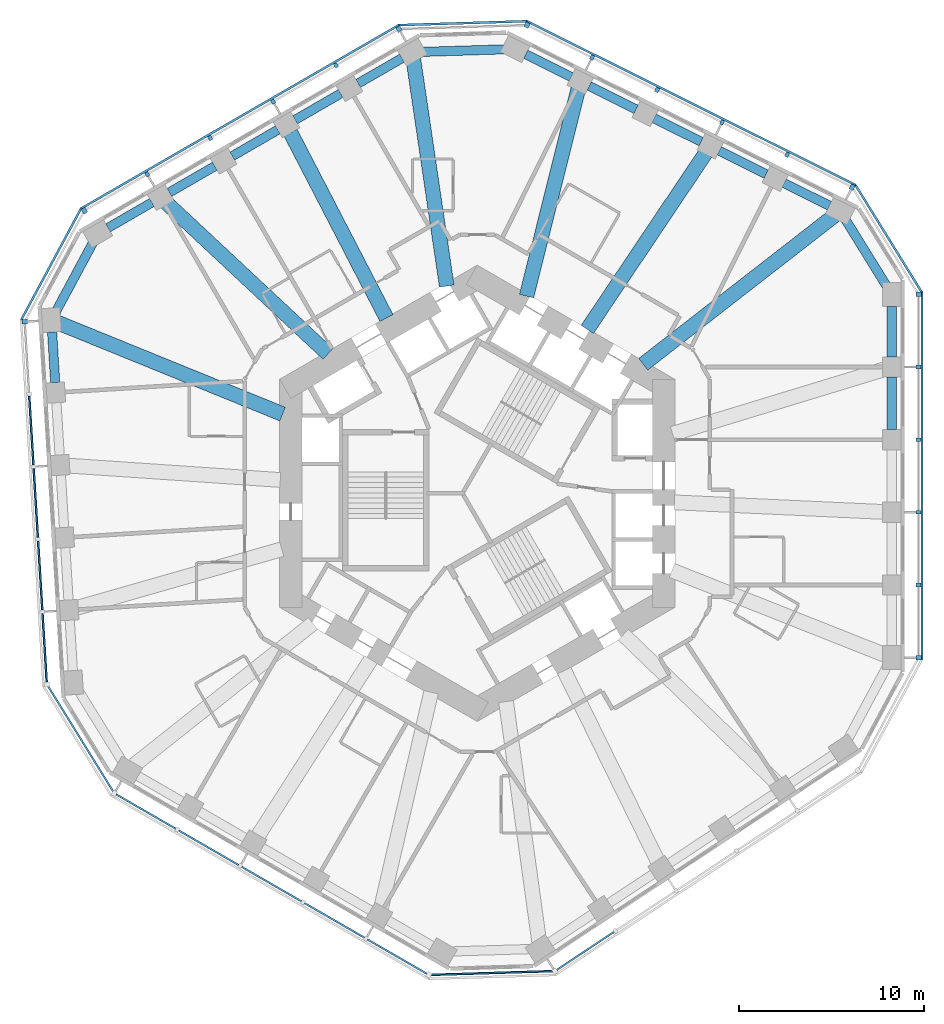
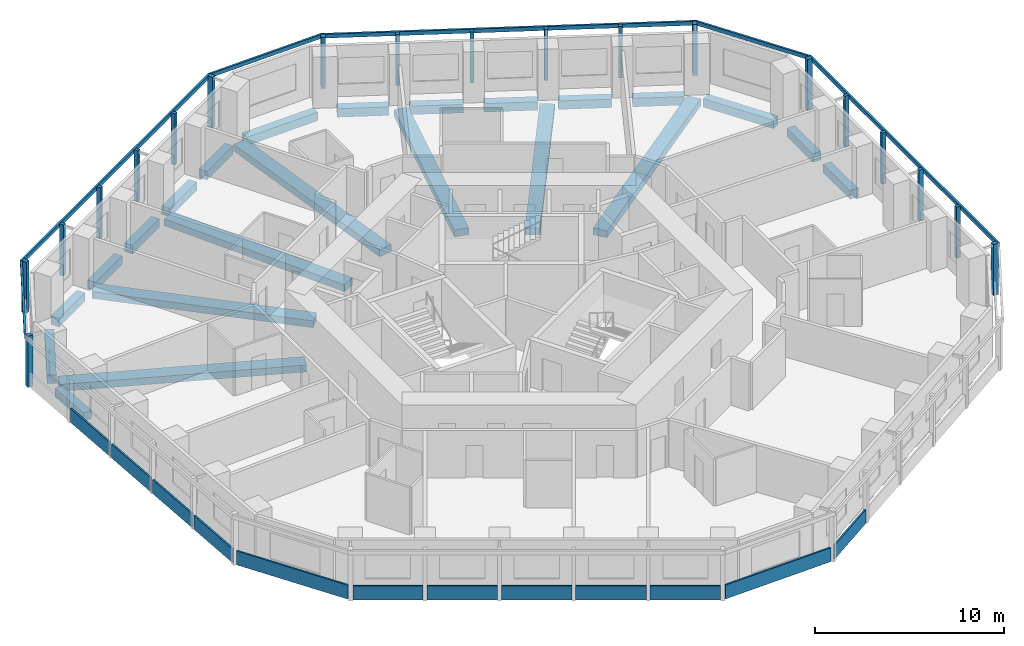
# One storey, part 2 of 12: 25 members, 23 beams, 12 plates, 11 elements without a shape of their own.
"""IFC4 building model written with IfcOpenShell, lengths in metres."""

import ifcopenshell
import ifcopenshell.guid

model = None  # the IFC model being written
_history = None  # IfcOwnerHistory: only IFC2X3 demands one
_inside = {}  # id of a spatial element -> (the spatial element, [elements in it])
_under = {}  # id of a project, library or spatial element -> (it, [spatial elements below it])
_declared = {}  # id of a project -> (the project, [libraries it declares])
_typed = {}  # id of a type object -> (the type object, [elements of that type])
_made_of = {}  # id of a material, layer set ... -> (it, [elements and type objects made of it])


def new_model(schema):
    """Start an empty IFC model of exactly this schema.

    Asked for "IFC4X3", IfcOpenShell would pick the latest addendum, in which some entities
    have other attributes; the version numbers below select the first issue.
    IFC2X3 requires an IfcOwnerHistory on every rooted entity: one is made here for all.
    """
    global model, _history
    if schema == "IFC4X3":
        model = ifcopenshell.file(schema_version=(4, 3, 0, 0))
    else:
        model = ifcopenshell.file(schema=schema)
    _inside.clear()
    _under.clear()
    _declared.clear()
    _typed.clear()
    _made_of.clear()
    _history = None
    if model.schema == "IFC2X3":
        org = make("IfcOrganization", Name="unknown")
        user = make(
            "IfcPersonAndOrganization",
            ThePerson=make("IfcPerson", FamilyName="unknown"),
            TheOrganization=org,
        )
        app = make(
            "IfcApplication",
            ApplicationDeveloper=org,
            Version="unknown",
            ApplicationFullName="unknown",
            ApplicationIdentifier="unknown",
        )
        _history = make(
            "IfcOwnerHistory",
            OwningUser=user,
            OwningApplication=app,
            ChangeAction="ADDED",
            CreationDate=0,
        )
    return model


def make(cls, **values):
    """One entity of the class cls with the attributes given. An attribute that is None is left unset."""
    return model.create_entity(
        cls, **{name: value for name, value in values.items() if value is not None}
    )


def rooted(cls, **values):
    """An entity with a GlobalId (a new one), such as an element, a storey or a relation."""
    return make(cls, GlobalId=ifcopenshell.guid.new(), OwnerHistory=_history, **values)


def si_unit(unit_type, name, prefix=None):
    """IfcSIUnit, for example si_unit("LENGTHUNIT", "METRE", prefix="MILLI")."""
    return make("IfcSIUnit", UnitType=unit_type, Prefix=prefix, Name=name)


def assignment(units):
    """IfcUnitAssignment: the units of a project."""
    return None if units is None else make("IfcUnitAssignment", Units=units)


def point(xyz):
    """IfcCartesianPoint."""
    return None if xyz is None else make("IfcCartesianPoint", Coordinates=xyz)


def direction(xyz):
    """IfcDirection."""
    return None if xyz is None else make("IfcDirection", DirectionRatios=xyz)


def frame(location, z_axis=None, x_axis=None):
    """IfcAxis2Placement3D, a coordinate frame: its origin and axes. An axis left out is left unset."""
    return make(
        "IfcAxis2Placement3D",
        Location=point(location),
        Axis=direction(z_axis),
        RefDirection=direction(x_axis),
    )


def frame_2d(location, x_axis=None):
    """IfcAxis2Placement2D, a coordinate frame in the plane: its origin and x axis."""
    return make(
        "IfcAxis2Placement2D", Location=point(location), RefDirection=direction(x_axis)
    )


def origin():
    """The frame at (0, 0, 0) with its axes left unset."""
    return frame((0.0, 0.0, 0.0))


def origin_2d():
    """The frame at (0, 0) in the plane with its x axis left unset."""
    return frame_2d((0.0, 0.0))


def place(relative_to, where):
    """IfcLocalPlacement: puts the frame where relative to a parent placement (None: the world)."""
    return make(
        "IfcLocalPlacement", PlacementRelTo=relative_to, RelativePlacement=where
    )


def context(
    kind, dimensions, precision=None, world=None, true_north=None, identifier=None
):
    """IfcGeometricRepresentationContext, for example the 3D "Model" context."""
    return make(
        "IfcGeometricRepresentationContext",
        ContextIdentifier=identifier,
        ContextType=kind,
        CoordinateSpaceDimension=dimensions,
        Precision=precision,
        WorldCoordinateSystem=world,
        TrueNorth=true_north,
    )


def subcontext(parent, identifier, kind, view, scale=None):
    """IfcGeometricRepresentationSubContext, for example "Body" below "Model"."""
    return make(
        "IfcGeometricRepresentationSubContext",
        ContextIdentifier=identifier,
        ContextType=kind,
        ParentContext=parent,
        TargetScale=scale,
        TargetView=view,
    )


def project(units=None, contexts=None):
    """IfcProject with its units and contexts."""
    return rooted(
        "IfcProject",
        Name="project",
        RepresentationContexts=contexts,
        UnitsInContext=assignment(units),
    )


def spatial(cls, under=None, at=None, **own):
    """A site, building, storey or space (cls), placed at a placement, below another one or the project."""
    s = rooted(cls, ObjectPlacement=at, **own)
    if under is not None:
        _under.setdefault(under.id(), (under, []))[1].append(s)
    return s


def profile(cls, at=None, kind="AREA", **sizes):
    """A parametric profile (cls). Its sizes go by their IFC names, for example OverallWidth=200.0."""
    return make(cls, ProfileType=kind, Position=at, **sizes)


def rectangle(**sizes):
    """IfcRectangleProfileDef."""
    return profile("IfcRectangleProfileDef", **sizes)


def extrude(swept, where, along, depth):
    """IfcExtrudedAreaSolid: the profile swept, set in the frame where, extruded along a direction by depth."""
    return make(
        "IfcExtrudedAreaSolid",
        SweptArea=swept,
        Position=where,
        ExtrudedDirection=direction(along),
        Depth=depth,
    )


def shape(context_of_items, identifier, shape_type, items):
    """IfcShapeRepresentation: the items that make up one representation, for example the "Body"."""
    return make(
        "IfcShapeRepresentation",
        ContextOfItems=context_of_items,
        RepresentationIdentifier=identifier,
        RepresentationType=shape_type,
        Items=items,
    )


def material(Name=None, Category=None):
    """IfcMaterial."""
    return make("IfcMaterial", Name=Name, Category=Category)


def layer(
    of_material, thickness, ventilated=None, Name=None, Category=None, Priority=None
):
    """IfcMaterialLayer: one layer of a wall or slab, of a material (None: an air gap)."""
    return make(
        "IfcMaterialLayer",
        Material=of_material,
        LayerThickness=thickness,
        IsVentilated=ventilated,
        Name=Name,
        Category=Category,
        Priority=Priority,
    )


def layer_set(layers, Name=None):
    """IfcMaterialLayerSet."""
    return make("IfcMaterialLayerSet", MaterialLayers=layers, LayerSetName=Name)


def material_profile(
    of_material, cross_section, Name=None, Category=None, Priority=None
):
    """IfcMaterialProfile: a cross section and its material."""
    return make(
        "IfcMaterialProfile",
        Name=Name,
        Material=of_material,
        Profile=cross_section,
        Priority=Priority,
        Category=Category,
    )


def profile_set(profiles, Name=None, composite=None):
    """IfcMaterialProfileSet."""
    return make(
        "IfcMaterialProfileSet",
        Name=Name,
        MaterialProfiles=profiles,
        CompositeProfile=composite,
    )


def made_of(thing, what):
    """Note that an element or type object is made of a material, layer set ...; save() writes the relation."""
    if what is not None:
        _made_of.setdefault(what.id(), (what, []))[1].append(thing)
    return thing


def type_object(cls, material=None, **own):
    """A type object (cls), such as IfcWallType, which elements share."""
    return made_of(rooted(cls, **own), material)


def element(
    cls,
    number,
    at=None,
    inside=None,
    cuts=None,
    type_object=None,
    material=None,
    context=None,
    identifier="Body",
    shape_type=None,
    held_by="IfcProductDefinitionShape",
    body=None,
    shapes=None,
    **own,
):
    """One element of the class cls, such as IfcWall. Its Tag is "e" and its number.

    at: its placement. inside: the storey or other place that contains it. cuts: it is an
    opening in that element (IfcRelVoidsElement). A single representation is given by context,
    identifier, shape_type and body (its items); several are given by shapes. held_by: the class
    of the entity that holds the representations. save() writes the other relations.
    """
    e = rooted(cls, Tag="e%d" % number, ObjectPlacement=at, **own)
    if body is not None:
        shapes = [shape(context, identifier, shape_type, body)]
    if shapes is not None:
        e.Representation = make(held_by, Representations=shapes)
    if inside is not None:
        _inside.setdefault(inside.id(), (inside, []))[1].append(e)
    if cuts is not None:
        rooted(
            "IfcRelVoidsElement", RelatingBuildingElement=cuts, RelatedOpeningElement=e
        )
    if type_object is not None:
        _typed.setdefault(type_object.id(), (type_object, []))[1].append(e)
    return made_of(e, material)


def aggregate(whole, parts):
    """IfcRelAggregates: a whole, such as a stair, and the parts it consists of."""
    return rooted("IfcRelAggregates", RelatingObject=whole, RelatedObjects=parts)


def save(model, path):
    """Write the relations noted so far, then the file.

    IfcRelAggregates (storeys below a building ...), IfcRelContainedInSpatialStructure (elements
    in a storey), IfcRelDefinesByType, IfcRelAssociatesMaterial and IfcRelDeclares: one each for
    every whole, place, type object, material and project.
    """
    for whole, parts in _under.values():
        aggregate(whole, parts)
    for where, things in _inside.values():
        rooted(
            "IfcRelContainedInSpatialStructure",
            RelatedElements=things,
            RelatingStructure=where,
        )
    for kind, things in _typed.values():
        rooted("IfcRelDefinesByType", RelatedObjects=things, RelatingType=kind)
    for what, things in _made_of.values():
        rooted("IfcRelAssociatesMaterial", RelatedObjects=things, RelatingMaterial=what)
    for by, libraries in _declared.values():
        rooted("IfcRelDeclares", RelatingContext=by, RelatedDefinitions=libraries)
    model.write(path)


model = new_model("IFC4")

# Units and contexts
model_context = context("Model", 3, precision=1e-05, world=origin(), true_north=direction((0.0, 1.0)))
body_context = subcontext(model_context, "Body", "Model", "MODEL_VIEW")
ifc_project = project(units=[si_unit("LENGTHUNIT", "METRE"), si_unit("AREAUNIT", "SQUARE_METRE"), si_unit("VOLUMEUNIT", "CUBIC_METRE"), si_unit("PLANEANGLEUNIT", "RADIAN"), si_unit("MASSUNIT", "GRAM", prefix="KILO")], contexts=[model_context])

# Site, building, storey
site_placement = place(None, origin())
site = spatial("IfcSite", under=ifc_project, at=site_placement, CompositionType="ELEMENT")
building_placement = place(site_placement, origin())
building = spatial("IfcBuilding", under=site, at=building_placement, Name="Vanh Sen Convention Tower", CompositionType="ELEMENT")
storey_placement = place(building_placement, frame((0.0, 0.0, 103.39990234375)))
storey = spatial("IfcBuildingStorey", under=building, at=storey_placement, Name="L24", CompositionType="ELEMENT", Elevation=103.39990234375)

# Curtain wall, members
ifc_material_1 = material(Name="Concrete C50/60", Category="concrete")
curtain_wall_type = type_object("IfcCurtainWallType", Name="Outer skin hotel zone", PredefinedType="NOTDEFINED", material=ifc_material_1)
curtain_wall_1_placement = place(storey_placement, origin())
curtain_wall_1 = element("IfcCurtainWall", 1, at=curtain_wall_1_placement, inside=storey, type_object=curtain_wall_type, Name="OUTER SKIN E L24", PredefinedType="NOTDEFINED")
ifc_material_profile_1 = material_profile(ifc_material_1, rectangle(XDim=0.25, YDim=0.300048828125, at=origin_2d()), Name="Outer skin precast corner fin 250 x 300")
ifc_profile_set_1 = profile_set([ifc_material_profile_1], Name="Concrete C50/60")
member_type_1 = type_object("IfcMemberType", Name="Outer skin precast corner fin 250 x 300", PredefinedType="MULLION", material=ifc_profile_set_1)
member_1_placement = place(storey_placement, frame((23.89990234375, -8.899169921875, 0.0), z_axis=(0.0, 0.0, 1.0), x_axis=(0.0, 1.0, 0.0)))
member_1 = element("IfcMember", 2, at=member_1_placement, type_object=member_type_1, Name="OUTER SKIN CORNER FIN 1 E L24", PredefinedType="MULLION", context=body_context, shape_type="SweptSolid", body=[
    extrude(rectangle(XDim=0.25, YDim=0.300048828125, at=origin_2d()), origin(), (0.0, 0.0, 1.0), 3.300048828125),
])
member_2_placement = place(storey_placement, frame((23.89990234375, 10.773681640625, 0.0), z_axis=(0.0, 0.0, 1.0), x_axis=(0.0, 1.0, 0.0)))
member_2 = element("IfcMember", 3, at=member_2_placement, type_object=member_type_1, Name="OUTER SKIN CORNER FIN 6 E L24", PredefinedType="MULLION", context=body_context, shape_type="SweptSolid", body=[
    extrude(rectangle(XDim=0.25, YDim=0.300048828125, at=origin_2d()), origin(), (0.0, 0.0, 1.0), 3.300048828125),
])

curtain_wall_2_placement = place(storey_placement, origin())
curtain_wall_2 = element("IfcCurtainWall", 4, at=curtain_wall_2_placement, inside=storey, type_object=curtain_wall_type, Name="OUTER SKIN NE L24", PredefinedType="NOTDEFINED")
member_3_placement = place(storey_placement, frame((20.305908203125, 16.581787109375, 0.0), z_axis=(0.0, 0.0, 1.0), x_axis=(-0.894934361602, 0.44619781311, 0.0)))
member_3 = element("IfcMember", 5, at=member_3_placement, type_object=member_type_1, Name="OUTER SKIN CORNER FIN 1 NE L24", PredefinedType="MULLION", context=body_context, shape_type="SweptSolid", body=[
    extrude(rectangle(XDim=0.25, YDim=0.300048828125, at=origin_2d()), origin(), (0.0, 0.0, 1.0), 3.300048828125),
])
member_4_placement = place(storey_placement, frame((2.699951171875, 25.35986328125, 0.0), z_axis=(0.0, 0.0, 1.0), x_axis=(-0.894934361602, 0.44619781311, 0.0)))
member_4 = element("IfcMember", 6, at=member_4_placement, type_object=member_type_1, Name="OUTER SKIN CORNER FIN 6 NE L24", PredefinedType="MULLION", context=body_context, shape_type="SweptSolid", body=[
    extrude(rectangle(XDim=0.25, YDim=0.300048828125, at=origin_2d()), origin(), (0.0, 0.0, 1.0), 3.300048828125),
])

curtain_wall_3_placement = place(storey_placement, origin())
curtain_wall_3 = element("IfcCurtainWall", 7, at=curtain_wall_3_placement, inside=storey, type_object=curtain_wall_type, Name="OUTER SKIN NW L24", PredefinedType="NOTDEFINED")
member_5_placement = place(storey_placement, frame((-4.242919921875, 25.147705078125, 0.0), z_axis=(0.0, 0.0, 1.0), x_axis=(-0.866025403784, -0.5, 0.0)))
member_5 = element("IfcMember", 8, at=member_5_placement, type_object=member_type_1, Name="OUTER SKIN CORNER FIN 1 NW L24", PredefinedType="MULLION", context=body_context, shape_type="SweptSolid", body=[
    extrude(rectangle(XDim=0.25, YDim=0.300048828125, at=origin_2d()), origin(), (0.0, 0.0, 1.0), 3.300048828125),
])
member_6_placement = place(storey_placement, frame((-21.2802734375, 15.31103515625, 0.0), z_axis=(0.0, 0.0, 1.0), x_axis=(-0.866025403784, -0.5, 0.0)))
member_6 = element("IfcMember", 9, at=member_6_placement, type_object=member_type_1, Name="OUTER SKIN CORNER FIN 6 NW L24", PredefinedType="MULLION", context=body_context, shape_type="SweptSolid", body=[
    extrude(rectangle(XDim=0.25, YDim=0.300048828125, at=origin_2d()), origin(), (0.0, 0.0, 1.0), 3.300048828125),
])

# Curtain wall, member
curtain_wall_4_placement = place(storey_placement, origin())
curtain_wall_4 = element("IfcCurtainWall", 10, at=curtain_wall_4_placement, inside=storey, type_object=curtain_wall_type, Name="OUTER SKIN W L24", PredefinedType="NOTDEFINED")
member_7_placement = place(storey_placement, frame((-24.51318359375, 9.294677734375, 0.0), z_axis=(0.0, 0.0, 1.0), x_axis=(0.061048539535, -0.998134798422, 0.0)))
member_7 = element("IfcMember", 11, at=member_7_placement, type_object=member_type_1, Name="OUTER SKIN CORNER FIN 1 W L24", PredefinedType="MULLION", context=body_context, shape_type="SweptSolid", body=[
    extrude(rectangle(XDim=0.25, YDim=0.300048828125, at=origin_2d()), origin(), (0.0, 0.0, 1.0), 3.300048828125),
])

# Member
ifc_material_profile_2 = material_profile(ifc_material_1, rectangle(XDim=0.199951171875, YDim=0.25, at=origin_2d()), Name="Outer skin precast fin 200 x 250")
ifc_profile_set_2 = profile_set([ifc_material_profile_2], Name="Concrete C50/60")
member_type_2 = type_object("IfcMemberType", Name="Outer skin precast fin 200 x 250", PredefinedType="MULLION", material=ifc_profile_set_2)
member_8_placement = place(storey_placement, frame((23.89990234375, -4.964599609375, 0.0), z_axis=(0.0, 0.0, 1.0), x_axis=(0.0, 1.0, 0.0)))
member_8 = element("IfcMember", 12, at=member_8_placement, type_object=member_type_2, Name="OUTER SKIN fin 2 E L24", PredefinedType="MULLION", context=body_context, shape_type="SweptSolid", body=[
    extrude(rectangle(XDim=0.199951171875, YDim=0.25, at=origin_2d()), origin(), (0.0, 0.0, 1.0), 3.300048828125),
])

member_9_placement = place(storey_placement, frame((23.89990234375, -1.030029296875, 0.0), z_axis=(0.0, 0.0, 1.0), x_axis=(0.0, 1.0, 0.0)))
member_9 = element("IfcMember", 13, at=member_9_placement, type_object=member_type_2, Name="OUTER SKIN fin 3 E L24", PredefinedType="MULLION", context=body_context, shape_type="SweptSolid", body=[
    extrude(rectangle(XDim=0.199951171875, YDim=0.25, at=origin_2d()), origin(), (0.0, 0.0, 1.0), 3.300048828125),
])

member_10_placement = place(storey_placement, frame((23.89990234375, 2.904541015625, 0.0), z_axis=(0.0, 0.0, 1.0), x_axis=(0.0, 1.0, 0.0)))
member_10 = element("IfcMember", 14, at=member_10_placement, type_object=member_type_2, Name="OUTER SKIN fin 4 E L24", PredefinedType="MULLION", context=body_context, shape_type="SweptSolid", body=[
    extrude(rectangle(XDim=0.199951171875, YDim=0.25, at=origin_2d()), origin(), (0.0, 0.0, 1.0), 3.300048828125),
])

member_11_placement = place(storey_placement, frame((23.89990234375, 6.839111328125, 0.0), z_axis=(0.0, 0.0, 1.0), x_axis=(0.0, 1.0, 0.0)))
member_11 = element("IfcMember", 15, at=member_11_placement, type_object=member_type_2, Name="OUTER SKIN fin 5 E L24", PredefinedType="MULLION", context=body_context, shape_type="SweptSolid", body=[
    extrude(rectangle(XDim=0.199951171875, YDim=0.25, at=origin_2d()), origin(), (0.0, 0.0, 1.0), 3.300048828125),
])

member_12_placement = place(storey_placement, frame((16.78466796875, 18.33740234375, 0.0), z_axis=(0.0, 0.0, 1.0), x_axis=(-0.894934361602, 0.44619781311, 0.0)))
member_12 = element("IfcMember", 16, at=member_12_placement, type_object=member_type_2, Name="OUTER SKIN fin 2 NE L24", PredefinedType="MULLION", context=body_context, shape_type="SweptSolid", body=[
    extrude(rectangle(XDim=0.199951171875, YDim=0.25, at=origin_2d()), origin(), (0.0, 0.0, 1.0), 3.300048828125),
])

member_13_placement = place(storey_placement, frame((13.263427734375, 20.093017578125, 0.0), z_axis=(0.0, 0.0, 1.0), x_axis=(-0.894934361602, 0.44619781311, 0.0)))
member_13 = element("IfcMember", 17, at=member_13_placement, type_object=member_type_2, Name="OUTER SKIN fin 3 NE L24", PredefinedType="MULLION", context=body_context, shape_type="SweptSolid", body=[
    extrude(rectangle(XDim=0.199951171875, YDim=0.25, at=origin_2d()), origin(), (0.0, 0.0, 1.0), 3.300048828125),
])

member_14_placement = place(storey_placement, frame((9.7421875, 21.8486328125, 0.0), z_axis=(0.0, 0.0, 1.0), x_axis=(-0.894934361602, 0.44619781311, 0.0)))
member_14 = element("IfcMember", 18, at=member_14_placement, type_object=member_type_2, Name="OUTER SKIN fin 4 NE L24", PredefinedType="MULLION", context=body_context, shape_type="SweptSolid", body=[
    extrude(rectangle(XDim=0.199951171875, YDim=0.25, at=origin_2d()), origin(), (0.0, 0.0, 1.0), 3.300048828125),
])

member_15_placement = place(storey_placement, frame((6.22119140625, 23.604248046875, 0.0), z_axis=(0.0, 0.0, 1.0), x_axis=(-0.894934361602, 0.44619781311, 0.0)))
member_15 = element("IfcMember", 19, at=member_15_placement, type_object=member_type_2, Name="OUTER SKIN fin 5 NE L24", PredefinedType="MULLION", context=body_context, shape_type="SweptSolid", body=[
    extrude(rectangle(XDim=0.199951171875, YDim=0.25, at=origin_2d()), origin(), (0.0, 0.0, 1.0), 3.300048828125),
])

member_16_placement = place(storey_placement, frame((-7.650390625, 23.180419921875, 0.0), z_axis=(0.0, 0.0, 1.0), x_axis=(-0.866025403784, -0.5, 0.0)))
member_16 = element("IfcMember", 20, at=member_16_placement, type_object=member_type_2, Name="OUTER SKIN fin 2 NW L24", PredefinedType="MULLION", context=body_context, shape_type="SweptSolid", body=[
    extrude(rectangle(XDim=0.199951171875, YDim=0.25, at=origin_2d()), origin(), (0.0, 0.0, 1.0), 3.300048828125),
])

member_17_placement = place(storey_placement, frame((-11.057861328125, 21.212890625, 0.0), z_axis=(0.0, 0.0, 1.0), x_axis=(-0.866025403784, -0.5, 0.0)))
member_17 = element("IfcMember", 21, at=member_17_placement, type_object=member_type_2, Name="OUTER SKIN fin 3 NW L24", PredefinedType="MULLION", context=body_context, shape_type="SweptSolid", body=[
    extrude(rectangle(XDim=0.199951171875, YDim=0.25, at=origin_2d()), origin(), (0.0, 0.0, 1.0), 3.300048828125),
])

member_18_placement = place(storey_placement, frame((-14.46533203125, 19.24560546875, 0.0), z_axis=(0.0, 0.0, 1.0), x_axis=(-0.866025403784, -0.5, 0.0)))
member_18 = element("IfcMember", 22, at=member_18_placement, type_object=member_type_2, Name="OUTER SKIN fin 4 NW L24", PredefinedType="MULLION", context=body_context, shape_type="SweptSolid", body=[
    extrude(rectangle(XDim=0.199951171875, YDim=0.25, at=origin_2d()), origin(), (0.0, 0.0, 1.0), 3.300048828125),
])

member_19_placement = place(storey_placement, frame((-17.872802734375, 17.2783203125, 0.0), z_axis=(0.0, 0.0, 1.0), x_axis=(-0.866025403784, -0.5, 0.0)))
member_19 = element("IfcMember", 23, at=member_19_placement, type_object=member_type_2, Name="OUTER SKIN fin 5 NW L24", PredefinedType="MULLION", context=body_context, shape_type="SweptSolid", body=[
    extrude(rectangle(XDim=0.199951171875, YDim=0.25, at=origin_2d()), origin(), (0.0, 0.0, 1.0), 3.300048828125),
])

ifc_material_profile_3 = material_profile(ifc_material_1, rectangle(XDim=0.1201171875, YDim=0.25, at=origin_2d()), Name="Outer skin precast spandrel band 250 x 120")
ifc_profile_set_3 = profile_set([ifc_material_profile_3], Name="Concrete C50/60")
member_type_3 = type_object("IfcMemberType", Name="Outer skin precast spandrel band 250 x 120", PredefinedType="USERDEFINED", material=ifc_profile_set_3)
member_20_placement = place(storey_placement, frame((24.0849609375, -9.024169921875, 3.175048828125), z_axis=(0.0, 1.0, 0.0), x_axis=(-1.0, 0.0, 0.0)))
member_20 = element("IfcMember", 24, at=member_20_placement, type_object=member_type_3, Name="OUTER SKIN spandrel band E L24", ObjectType="TRANSOM", PredefinedType="USERDEFINED", context=body_context, shape_type="SweptSolid", body=[
    extrude(rectangle(XDim=0.1201171875, YDim=0.25, at=origin_2d()), origin(), (0.0, 0.0, 1.0), 19.9228515625),
])

aggregate(curtain_wall_1, [member_1, member_8, member_9, member_10, member_11, member_2, member_20])

# Curtain wall, member
curtain_wall_5_placement = place(storey_placement, origin())
curtain_wall_5 = element("IfcCurtainWall", 25, at=curtain_wall_5_placement, inside=storey, type_object=curtain_wall_type, Name="OUTER SKIN CH1 L24", PredefinedType="NOTDEFINED")
member_21_placement = place(storey_placement, frame((24.07861328125, 10.88427734375, 3.175048828125), z_axis=(-0.526195864379, 0.850363400148, 0.0), x_axis=(-0.850363400148, -0.526195864379, 0.0)))
member_21 = element("IfcMember", 26, at=member_21_placement, type_object=member_type_3, Name="OUTER SKIN spandrel band CH1 L24", ObjectType="TRANSOM", PredefinedType="USERDEFINED", context=body_context, shape_type="SweptSolid", body=[
    extrude(rectangle(XDim=0.1201171875, YDim=0.25, at=origin_2d()), origin(), (0.0, 0.0, 1.0), 6.830078125),
])
aggregate(curtain_wall_5, [member_21])

# Member
member_22_placement = place(storey_placement, frame((20.500244140625, 16.69140625, 3.175048828125), z_axis=(-0.894931498167, 0.446203556227, 0.0), x_axis=(-0.446203556227, -0.894931498167, 0.0)))
member_22 = element("IfcMember", 27, at=member_22_placement, type_object=member_type_3, Name="OUTER SKIN spandrel band NE L24", ObjectType="TRANSOM", PredefinedType="USERDEFINED", context=body_context, shape_type="SweptSolid", body=[
    extrude(rectangle(XDim=0.1201171875, YDim=0.25, at=origin_2d()), origin(), (0.0, 0.0, 1.0), 19.9228515625),
])

aggregate(curtain_wall_2, [member_3, member_12, member_13, member_14, member_15, member_4, member_22])

# Curtain wall, member
curtain_wall_6_placement = place(storey_placement, origin())
curtain_wall_6 = element("IfcCurtainWall", 28, at=curtain_wall_6_placement, inside=storey, type_object=curtain_wall_type, Name="OUTER SKIN CH2 L24", PredefinedType="NOTDEFINED")
member_23_placement = place(storey_placement, frame((2.693603515625, 25.569580078125, 3.175048828125), z_axis=(-0.999533472857, -0.030542374483, 0.0), x_axis=(0.030542374483, -0.999533472857, 0.0)))
member_23 = element("IfcMember", 29, at=member_23_placement, type_object=member_type_3, Name="OUTER SKIN spandrel band CH2 L24", ObjectType="TRANSOM", PredefinedType="USERDEFINED", context=body_context, shape_type="SweptSolid", body=[
    extrude(rectangle(XDim=0.1201171875, YDim=0.25, at=origin_2d()), origin(), (0.0, 0.0, 1.0), 6.9462890625),
])
aggregate(curtain_wall_6, [member_23])

# Member
member_24_placement = place(storey_placement, frame((-4.227294921875, 25.370361328125, 3.175048828125), z_axis=(-0.866028047459, -0.499995420993, 0.0), x_axis=(0.499995420993, -0.866028047459, 0.0)))
member_24 = element("IfcMember", 30, at=member_24_placement, type_object=member_type_3, Name="OUTER SKIN spandrel band NW L24", ObjectType="TRANSOM", PredefinedType="USERDEFINED", context=body_context, shape_type="SweptSolid", body=[
    extrude(rectangle(XDim=0.1201171875, YDim=0.25, at=origin_2d()), origin(), (0.0, 0.0, 1.0), 19.923095703125),
])

aggregate(curtain_wall_3, [member_5, member_16, member_17, member_18, member_19, member_6, member_24])

# Curtain wall, member
curtain_wall_7_placement = place(storey_placement, origin())
curtain_wall_7 = element("IfcCurtainWall", 31, at=curtain_wall_7_placement, inside=storey, type_object=curtain_wall_type, Name="OUTER SKIN CH3 L24", PredefinedType="NOTDEFINED")
member_25_placement = place(storey_placement, frame((-21.46533203125, 15.410400390625, 3.175048828125), z_axis=(-0.473315186561, -0.880893145717, 0.0), x_axis=(0.880893145717, -0.473315186561, 0.0)))
member_25 = element("IfcMember", 32, at=member_25_placement, type_object=member_type_3, Name="OUTER SKIN spandrel band CH3 L24", ObjectType="TRANSOM", PredefinedType="USERDEFINED", context=body_context, shape_type="SweptSolid", body=[
    extrude(rectangle(XDim=0.1201171875, YDim=0.25, at=origin_2d()), origin(), (0.0, 0.0, 1.0), 6.829833984375),
])
aggregate(curtain_wall_7, [member_25])

# Beams
ifc_material_2 = material(Name="Concrete C50/60", Category="concrete")
ifc_material_profile_4 = material_profile(ifc_material_2, rectangle(XDim=0.800048828125, YDim=0.449951171875, at=origin_2d()), Name="RC 800X450")
ifc_profile_set_4 = profile_set([ifc_material_profile_4], Name="Concrete C50/60")
beam_type_1 = type_object("IfcBeamType", Name="Radial floor beam 800 x 450", PredefinedType="BEAM", material=ifc_profile_set_4)
beam_1_placement = place(storey_placement, frame((19.376708984375, 15.064697265625, -0.474853515625), z_axis=(-0.789479064473, -0.613777489616, 0.0), x_axis=(0.613777489616, -0.789479064473, 0.0)))
element("IfcBeam", 33, at=beam_1_placement, inside=storey, type_object=beam_type_1, Name="Radial beam 04 L24", PredefinedType="BEAM", context=body_context, shape_type="SweptSolid", body=[
    extrude(rectangle(XDim=0.800048828125, YDim=0.449951171875, at=origin_2d()), origin(), (0.0, 0.0, 1.0), 13.16015625),
])
beam_2_placement = place(storey_placement, frame((12.3671875, 18.423828125, -0.474853515625), z_axis=(-0.557338631, -0.830285282536, 0.0), x_axis=(0.830285282536, -0.557338631, 0.0)))
element("IfcBeam", 34, at=beam_2_placement, inside=storey, type_object=beam_type_1, Name="Radial beam 05 L24", PredefinedType="BEAM", context=body_context, shape_type="SweptSolid", body=[
    extrude(rectangle(XDim=0.800048828125, YDim=0.449951171875, at=origin_2d()), origin(), (0.0, 0.0, 1.0), 11.497314453125),
])
beam_3_placement = place(storey_placement, frame((5.47265625, 21.900390625, -0.474853515625), z_axis=(-0.242436270236, -0.97016733344, 0.0), x_axis=(0.97016733344, -0.242436270236, 0.0)))
element("IfcBeam", 35, at=beam_3_placement, inside=storey, type_object=beam_type_1, Name="Radial beam 06 L24", PredefinedType="BEAM", context=body_context, shape_type="SweptSolid", body=[
    extrude(rectangle(XDim=0.800048828125, YDim=0.449951171875, at=origin_2d()), origin(), (0.0, 0.0, 1.0), 11.563720703125),
])
beam_4_placement = place(storey_placement, frame((-3.46337890625, 23.521484375, -0.474853515625), z_axis=(0.145674386683, -0.989332589711, 0.0), x_axis=(0.989332589711, 0.145674386683, 0.0)))
element("IfcBeam", 36, at=beam_4_placement, inside=storey, type_object=beam_type_1, Name="Radial beam 07 L24", PredefinedType="BEAM", context=body_context, shape_type="SweptSolid", body=[
    extrude(rectangle(XDim=0.800048828125, YDim=0.449951171875, at=origin_2d()), origin(), (0.0, 0.0, 1.0), 12.4287109375),
])
beam_5_placement = place(storey_placement, frame((-10.113525390625, 19.53369140625, -0.474853515625), z_axis=(0.459777032111, -0.888034391644, 0.0), x_axis=(0.888034391644, 0.459777032111, 0.0)))
element("IfcBeam", 37, at=beam_5_placement, inside=storey, type_object=beam_type_1, Name="Radial beam 08 L24", PredefinedType="BEAM", context=body_context, shape_type="SweptSolid", body=[
    extrude(rectangle(XDim=0.800048828125, YDim=0.449951171875, at=origin_2d()), origin(), (0.0, 0.0, 1.0), 11.30859375),
])
beam_6_placement = place(storey_placement, frame((-16.858642578125, 15.75244140625, -0.474853515625), z_axis=(0.730678761729, -0.6827214272, 0.0), x_axis=(0.6827214272, 0.730678761729, 0.0)))
element("IfcBeam", 38, at=beam_6_placement, inside=storey, type_object=beam_type_1, Name="Radial beam 09 L24", PredefinedType="BEAM", context=body_context, shape_type="SweptSolid", body=[
    extrude(rectangle(XDim=0.800048828125, YDim=0.449951171875, at=origin_2d()), origin(), (0.0, 0.0, 1.0), 12.01416015625),
])
beam_7_placement = place(storey_placement, frame((-22.734619140625, 9.248291015625, -0.474853515625), z_axis=(0.926292218259, -0.376805953236, 0.0), x_axis=(0.376805953236, 0.926292218259, 0.0)))
element("IfcBeam", 39, at=beam_7_placement, inside=storey, type_object=beam_type_1, Name="Radial beam 10 L24", PredefinedType="BEAM", context=body_context, shape_type="SweptSolid", body=[
    extrude(rectangle(XDim=0.800048828125, YDim=0.449951171875, at=origin_2d()), origin(), (0.0, 0.0, 1.0), 13.159912109375),
])
ifc_material_profile_5 = material_profile(ifc_material_2, rectangle(XDim=0.5, YDim=0.550048828125, at=origin_2d()), Name="RC 500X550")
ifc_profile_set_5 = profile_set([ifc_material_profile_5], Name="Concrete C50/60")
beam_type_2 = type_object("IfcBeamType", Name="Spandrel beam 500 x 550", PredefinedType="SPANDREL", material=ifc_profile_set_5)
beam_8_placement = place(storey_placement, frame((22.449951171875, 3.449462890625, -0.52490234375), z_axis=(0.0, 1.0, 0.0), x_axis=(-1.0, 0.0, 0.0)))
element("IfcBeam", 40, at=beam_8_placement, inside=storey, type_object=beam_type_2, Name="Spandrel beam 04 L24", PredefinedType="SPANDREL", context=body_context, shape_type="SweptSolid", body=[
    extrude(rectangle(XDim=0.5, YDim=0.550048828125, at=origin_2d()), origin(), (0.0, 0.0, 1.0), 2.8447265625),
])
beam_9_placement = place(storey_placement, frame((22.449951171875, 7.384033203125, -0.52490234375), z_axis=(0.0, 1.0, 0.0), x_axis=(-1.0, 0.0, 0.0)))
element("IfcBeam", 41, at=beam_9_placement, inside=storey, type_object=beam_type_2, Name="Spandrel beam 05 L24", PredefinedType="SPANDREL", context=body_context, shape_type="SweptSolid", body=[
    extrude(rectangle(XDim=0.5, YDim=0.550048828125, at=origin_2d()), origin(), (0.0, 0.0, 1.0), 2.74462890625),
])
beam_10_placement = place(storey_placement, frame((22.165283203125, 11.23388671875, -0.52490234375), z_axis=(-0.526225208879, 0.850345241381, 0.0), x_axis=(-0.850345241381, -0.526225208879, 0.0)))
element("IfcBeam", 42, at=beam_10_placement, inside=storey, type_object=beam_type_2, Name="Spandrel beam 06 L24", PredefinedType="SPANDREL", context=body_context, shape_type="SweptSolid", body=[
    extrude(rectangle(XDim=0.5, YDim=0.550048828125, at=origin_2d()), origin(), (0.0, 0.0, 1.0), 4.221923828125),
])
beam_11_placement = place(storey_placement, frame((19.081787109375, 15.572021484375, -0.52490234375), z_axis=(-0.894978032936, 0.446110211229, 0.0), x_axis=(-0.446110211229, -0.894978032936, 0.0)))
element("IfcBeam", 43, at=beam_11_placement, inside=storey, type_object=beam_type_2, Name="Spandrel beam 07 L24", PredefinedType="SPANDREL", context=body_context, shape_type="SweptSolid", body=[
    extrude(rectangle(XDim=0.5, YDim=0.550048828125, at=origin_2d()), origin(), (0.0, 0.0, 1.0), 2.74462890625),
])
beam_12_placement = place(storey_placement, frame((15.64990234375, 17.282958984375, -0.52490234375), z_axis=(-0.894958709308, 0.44614897583, 0.0), x_axis=(-0.44614897583, -0.894958709308, 0.0)))
element("IfcBeam", 44, at=beam_12_placement, inside=storey, type_object=beam_type_2, Name="Spandrel beam 08 L24", PredefinedType="SPANDREL", context=body_context, shape_type="SweptSolid", body=[
    extrude(rectangle(XDim=0.5, YDim=0.550048828125, at=origin_2d()), origin(), (0.0, 0.0, 1.0), 2.844482421875),
])
for number, where, z_axis, x_axis, name in (
    (45, (12.12890625, 19.03857421875, -0.52490234375), (-0.894975791885, 0.446114707155, 0.0), (-0.446114707155, -0.894975791885, 0.0), "Spandrel beam 09 L24"),
    (46, (8.607666015625, 20.794189453125, -0.52490234375), (-0.894975791885, 0.446114707155, 0.0), (-0.446114707155, -0.894975791885, 0.0), "Spandrel beam 10 L24"),
):
    element("IfcBeam", number, at=place(storey_placement, frame(where, z_axis=z_axis, x_axis=x_axis)), inside=storey, type_object=beam_type_2, Name=name, PredefinedType="SPANDREL", context=body_context, shape_type="SweptSolid", body=[
        extrude(rectangle(XDim=0.5, YDim=0.550048828125, at=origin_2d()), origin(), (0.0, 0.0, 1.0), 2.8447265625),
    ])
beam_13_placement = place(storey_placement, frame((5.08642578125, 22.5498046875, -0.52490234375), z_axis=(-0.894942515368, 0.44618145881, 0.0), x_axis=(-0.44618145881, -0.894942515368, 0.0)))
element("IfcBeam", 47, at=beam_13_placement, inside=storey, type_object=beam_type_2, Name="Spandrel beam 11 L24", PredefinedType="SPANDREL", context=body_context, shape_type="SweptSolid", body=[
    extrude(rectangle(XDim=0.5, YDim=0.550048828125, at=origin_2d()), origin(), (0.0, 0.0, 1.0), 2.74462890625),
])
beam_14_placement = place(storey_placement, frame((1.467041015625, 24.044189453125, -0.52490234375), z_axis=(-0.999534488219, -0.030509127505, 0.0), x_axis=(0.030509127505, -0.999534488219, 0.0)))
element("IfcBeam", 48, at=beam_14_placement, inside=storey, type_object=beam_type_2, Name="Spandrel beam 12 L24", PredefinedType="SPANDREL", context=body_context, shape_type="SweptSolid", body=[
    extrude(rectangle(XDim=0.5, YDim=0.550048828125, at=origin_2d()), origin(), (0.0, 0.0, 1.0), 4.401123046875),
])
beam_15_placement = place(storey_placement, frame((-4.07666015625, 23.5693359375, -0.52490234375), z_axis=(-0.866028570666, -0.499994514761, 0.0), x_axis=(0.499994514761, -0.866028570666, 0.0)))
element("IfcBeam", 49, at=beam_15_placement, inside=storey, type_object=beam_type_2, Name="Spandrel beam 13 L24", PredefinedType="SPANDREL", context=body_context, shape_type="SweptSolid", body=[
    extrude(rectangle(XDim=0.5, YDim=0.550048828125, at=origin_2d()), origin(), (0.0, 0.0, 1.0), 2.74462890625),
])
for number, where, z_axis, x_axis, name in (
    (50, (-7.3974609375, 21.652099609375, -0.52490234375), (-0.866005490874, -0.500034488586, 0.0), (0.500034488586, -0.866005490874, 0.0), "Spandrel beam 14 L24"),
    (51, (-10.804931640625, 19.684814453125, -0.52490234375), (-0.866005490874, -0.500034488586, 0.0), (0.500034488586, -0.866005490874, 0.0), "Spandrel beam 15 L24"),
    (52, (-14.21240234375, 17.717529296875, -0.52490234375), (-0.866005490874, -0.500034488586, 0.0), (0.500034488586, -0.866005490874, 0.0), "Spandrel beam 16 L24"),
):
    element("IfcBeam", number, at=place(storey_placement, frame(where, z_axis=z_axis, x_axis=x_axis)), inside=storey, type_object=beam_type_2, Name=name, PredefinedType="SPANDREL", context=body_context, shape_type="SweptSolid", body=[
        extrude(rectangle(XDim=0.5, YDim=0.550048828125, at=origin_2d()), origin(), (0.0, 0.0, 1.0), 2.844482421875),
    ])
beam_16_placement = place(storey_placement, frame((-17.619873046875, 15.750244140625, -0.52490234375), z_axis=(-0.866006330792, -0.500033033937, 0.0), x_axis=(0.500033033937, -0.866006330792, 0.0)))
element("IfcBeam", 53, at=beam_16_placement, inside=storey, type_object=beam_type_2, Name="Spandrel beam 17 L24", PredefinedType="SPANDREL", context=body_context, shape_type="SweptSolid", body=[
    extrude(rectangle(XDim=0.5, YDim=0.550048828125, at=origin_2d()), origin(), (0.0, 0.0, 1.0), 2.744384765625),
])
beam_17_placement = place(storey_placement, frame((-20.811279296875, 13.57861328125, -0.52490234375), z_axis=(-0.473344400705, -0.880877447958, 0.0), x_axis=(0.880877447958, -0.473344400705, 0.0)))
element("IfcBeam", 54, at=beam_17_placement, inside=storey, type_object=beam_type_2, Name="Spandrel beam 18 L24", PredefinedType="SPANDREL", context=body_context, shape_type="SweptSolid", body=[
    extrude(rectangle(XDim=0.5, YDim=0.550048828125, at=origin_2d()), origin(), (0.0, 0.0, 1.0), 4.2216796875),
])
beam_18_placement = place(storey_placement, frame((-23.0263671875, 8.7392578125, -0.52490234375), z_axis=(0.061021442686, -0.998136455367, 0.0), x_axis=(0.998136455367, 0.061021442686, 0.0)))
element("IfcBeam", 55, at=beam_18_placement, inside=storey, type_object=beam_type_2, Name="Spandrel beam 19 L24", PredefinedType="SPANDREL", context=body_context, shape_type="SweptSolid", body=[
    extrude(rectangle(XDim=0.5, YDim=0.550048828125, at=origin_2d()), origin(), (0.0, 0.0, 1.0), 2.74462890625),
])

# Plate
ifc_layer = layer(ifc_material_1, 0.10009765625)
ifc_layer_set = layer_set([ifc_layer], Name="Concrete C50/60")
plate_type = type_object("IfcPlateType", Name="Outer skin precast screen panel 100", PredefinedType="CURTAIN_PANEL", material=ifc_layer_set)
plate_1_placement = place(storey_placement, frame((-24.15283203125, 3.40380859375, 0.000244140625), z_axis=(0.0, 0.0, 1.0), x_axis=(0.061048539535, -0.998134798422, 0.0)))
plate_1 = element("IfcPlate", 56, at=plate_1_placement, type_object=plate_type, Name="OUTER SKIN screen panel W-2", PredefinedType="CURTAIN_PANEL", context=body_context, shape_type="SweptSolid", body=[
    extrude(rectangle(XDim=3.734619140625, YDim=0.10009765625, at=origin_2d()), origin(), (0.0, 0.0, 1.0), 0.89990234375),
])

plate_2_placement = place(storey_placement, frame((-23.91259765625, -0.523681640625, 0.000244140625), z_axis=(0.0, 0.0, 1.0), x_axis=(0.061046797461, -0.99813490497, 0.0)))
plate_2 = element("IfcPlate", 57, at=plate_2_placement, type_object=plate_type, Name="OUTER SKIN screen panel W-3", PredefinedType="CURTAIN_PANEL", context=body_context, shape_type="SweptSolid", body=[
    extrude(rectangle(XDim=3.734619140625, YDim=0.10009765625, at=origin_2d()), origin(), (0.0, 0.0, 1.0), 0.89990234375),
])

plate_3_placement = place(storey_placement, frame((-23.67236328125, -4.45068359375, 0.000244140625), z_axis=(0.0, 0.0, 1.0), x_axis=(0.061048539535, -0.998134798422, 0.0)))
plate_3 = element("IfcPlate", 58, at=plate_3_placement, type_object=plate_type, Name="OUTER SKIN screen panel W-4", PredefinedType="CURTAIN_PANEL", context=body_context, shape_type="SweptSolid", body=[
    extrude(rectangle(XDim=3.734619140625, YDim=0.10009765625, at=origin_2d()), origin(), (0.0, 0.0, 1.0), 0.89990234375),
])

plate_4_placement = place(storey_placement, frame((-23.43310546875, -8.365478515625, 0.000244140625), z_axis=(0.0, 0.0, 1.0), x_axis=(0.061046797461, -0.99813490497, 0.0)))
plate_4 = element("IfcPlate", 59, at=plate_4_placement, type_object=plate_type, Name="OUTER SKIN screen panel W-5", PredefinedType="CURTAIN_PANEL", context=body_context, shape_type="SweptSolid", body=[
    extrude(rectangle(XDim=3.709716796875, YDim=0.10009765625, at=origin_2d()), origin(), (0.0, 0.0, 1.0), 0.89990234375),
])

aggregate(curtain_wall_4, [member_7, plate_1, plate_2, plate_3, plate_4])

# Curtain wall, plate
curtain_wall_8_placement = place(storey_placement, origin())
curtain_wall_8 = element("IfcCurtainWall", 60, at=curtain_wall_8_placement, inside=storey, type_object=curtain_wall_type, Name="OUTER SKIN CH4 L24", PredefinedType="NOTDEFINED")
plate_5_placement = place(storey_placement, frame((-21.484619140625, -13.295166015625, 0.000244140625), z_axis=(0.0, 0.0, 1.0), x_axis=(0.526205018755, -0.850357735448, 0.0)))
plate_5 = element("IfcPlate", 61, at=plate_5_placement, type_object=plate_type, Name="OUTER SKIN screen panel CH4-1", PredefinedType="CURTAIN_PANEL", context=body_context, shape_type="SweptSolid", body=[
    extrude(rectangle(XDim=6.6962890625, YDim=0.10009765625, at=origin_2d()), origin(), (0.0, 0.0, 1.0), 0.89990234375),
])
aggregate(curtain_wall_8, [plate_5])

# Curtain wall, plates
curtain_wall_9_placement = place(storey_placement, origin())
curtain_wall_9 = element("IfcCurtainWall", 62, at=curtain_wall_9_placement, inside=storey, type_object=curtain_wall_type, Name="OUTER SKIN SW L24", PredefinedType="NOTDEFINED")
plate_6_placement = place(storey_placement, frame((-17.9423828125, -17.23828125, 0.000244140625), z_axis=(0.0, 0.0, 1.0), x_axis=(0.866028021766, -0.499995465495, 0.0)))
plate_6 = element("IfcPlate", 63, at=plate_6_placement, type_object=plate_type, Name="OUTER SKIN screen panel SW-1", PredefinedType="CURTAIN_PANEL", context=body_context, shape_type="SweptSolid", body=[
    extrude(rectangle(XDim=3.709716796875, YDim=0.10009765625, at=origin_2d()), origin(), (0.0, 0.0, 1.0), 0.89990234375),
])
plate_7_placement = place(storey_placement, frame((-14.5458984375, -19.19921875, 0.000244140625), z_axis=(0.0, 0.0, 1.0), x_axis=(0.866032385017, -0.499987907955, 0.0)))
plate_7 = element("IfcPlate", 64, at=plate_7_placement, type_object=plate_type, Name="OUTER SKIN screen panel SW-2", PredefinedType="CURTAIN_PANEL", context=body_context, shape_type="SweptSolid", body=[
    extrude(rectangle(XDim=3.734619140625, YDim=0.10009765625, at=origin_2d()), origin(), (0.0, 0.0, 1.0), 0.89990234375),
])
plate_8_placement = place(storey_placement, frame((-11.138427734375, -21.16650390625, 0.000244140625), z_axis=(0.0, 0.0, 1.0), x_axis=(0.866028021766, -0.499995465495, 0.0)))
plate_8 = element("IfcPlate", 65, at=plate_8_placement, type_object=plate_type, Name="OUTER SKIN screen panel SW-3", PredefinedType="CURTAIN_PANEL", context=body_context, shape_type="SweptSolid", body=[
    extrude(rectangle(XDim=3.734619140625, YDim=0.10009765625, at=origin_2d()), origin(), (0.0, 0.0, 1.0), 0.89990234375),
])
plate_9_placement = place(storey_placement, frame((-7.73095703125, -23.1337890625, 0.000244140625), z_axis=(0.0, 0.0, 1.0), x_axis=(0.866028021766, -0.499995465495, 0.0)))
plate_9 = element("IfcPlate", 66, at=plate_9_placement, type_object=plate_type, Name="OUTER SKIN screen panel SW-4", PredefinedType="CURTAIN_PANEL", context=body_context, shape_type="SweptSolid", body=[
    extrude(rectangle(XDim=3.734619140625, YDim=0.10009765625, at=origin_2d()), origin(), (0.0, 0.0, 1.0), 0.89990234375),
])
plate_10_placement = place(storey_placement, frame((-4.334228515625, -25.094970703125, 0.000244140625), z_axis=(0.0, 0.0, 1.0), x_axis=(0.866021040428, -0.500007557478, 0.0)))
plate_10 = element("IfcPlate", 67, at=plate_10_placement, type_object=plate_type, Name="OUTER SKIN screen panel SW-5", PredefinedType="CURTAIN_PANEL", context=body_context, shape_type="SweptSolid", body=[
    extrude(rectangle(XDim=3.70947265625, YDim=0.10009765625, at=origin_2d()), origin(), (0.0, 0.0, 1.0), 0.89990234375),
])
aggregate(curtain_wall_9, [plate_6, plate_7, plate_8, plate_9, plate_10])

# Curtain wall, plate
curtain_wall_10_placement = place(storey_placement, origin())
curtain_wall_10 = element("IfcCurtainWall", 68, at=curtain_wall_10_placement, inside=storey, type_object=curtain_wall_type, Name="OUTER SKIN CH5 L24", PredefinedType="NOTDEFINED")
plate_11_placement = place(storey_placement, frame((0.793701171875, -25.98046875, 0.000244140625), z_axis=(0.0, 0.0, 1.0), x_axis=(0.999533484231, 0.03054200224, 0.0)))
plate_11 = element("IfcPlate", 69, at=plate_11_placement, type_object=plate_type, Name="OUTER SKIN screen panel CH5-1", PredefinedType="CURTAIN_PANEL", context=body_context, shape_type="SweptSolid", body=[
    extrude(rectangle(XDim=6.580078125, YDim=0.10009765625, at=origin_2d()), origin(), (0.0, 0.0, 1.0), 0.89990234375),
])
aggregate(curtain_wall_10, [plate_11])

curtain_wall_11_placement = place(storey_placement, origin())
curtain_wall_11 = element("IfcCurtainWall", 70, at=curtain_wall_11_placement, inside=storey, type_object=curtain_wall_type, Name="OUTER SKIN SE L24", PredefinedType="NOTDEFINED")
plate_12_placement = place(storey_placement, frame((5.858154296875, -24.783447265625, 0.000244140625), z_axis=(0.0, 0.0, 1.0), x_axis=(0.833891601892, 0.55192825285, 0.0)))
plate_12 = element("IfcPlate", 71, at=plate_12_placement, type_object=plate_type, Name="OUTER SKIN screen panel SE-1", PredefinedType="CURTAIN_PANEL", context=body_context, shape_type="SweptSolid", body=[
    extrude(rectangle(XDim=3.709716796875, YDim=0.10009765625, at=origin_2d()), origin(), (0.0, 0.0, 1.0), 0.89990234375),
])
aggregate(curtain_wall_11, [plate_12])

save(model, "model.ifc")
